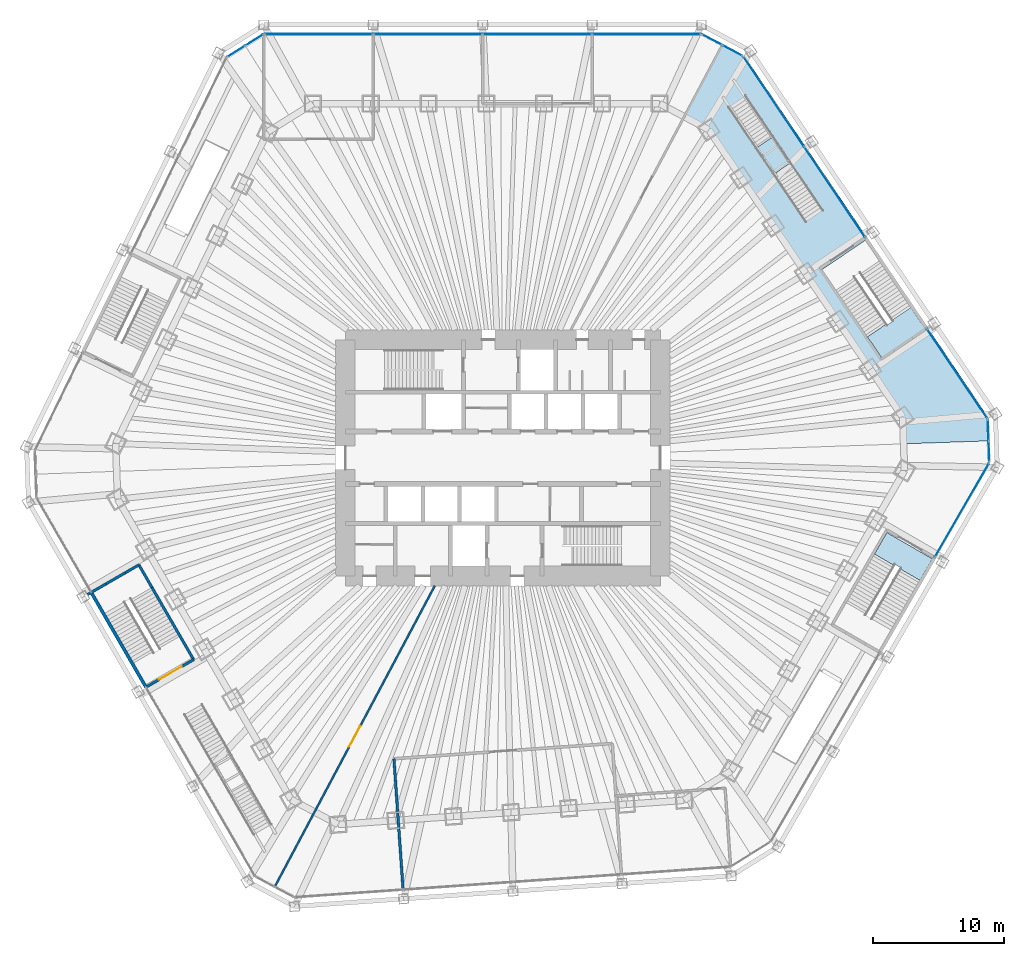
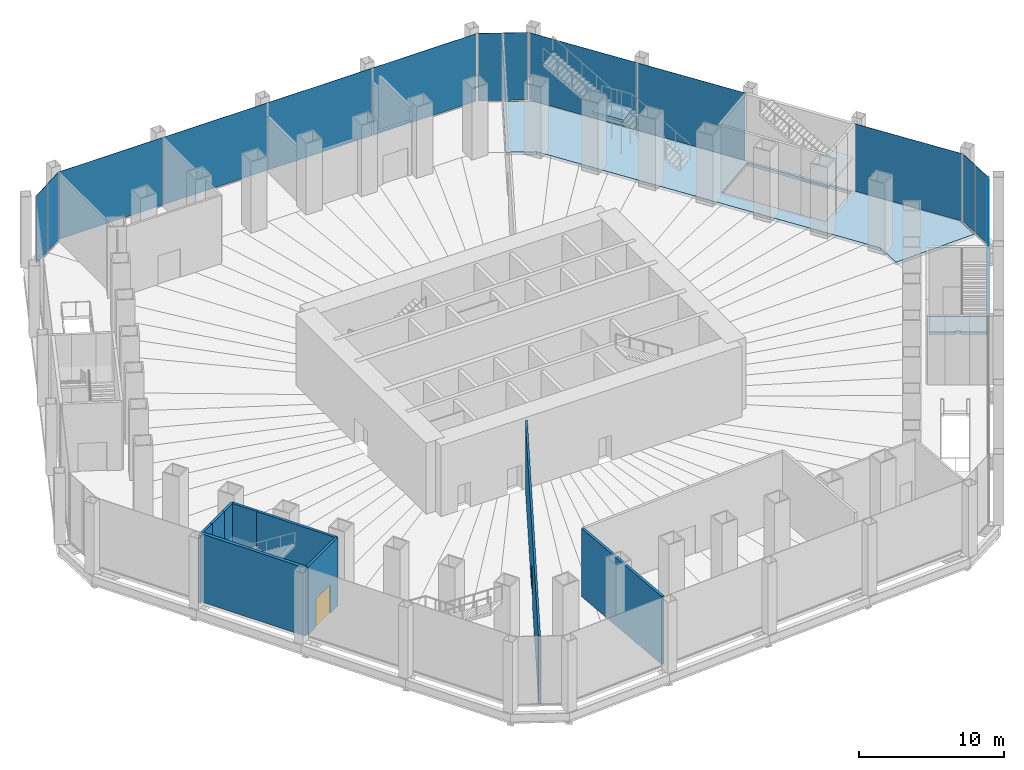
# One storey, part 18 of 23: 14 plates, 9 walls, 4 slabs, 2 doors, 2 openings, 10 elements without a shape of their own.
"""IFC4 building model written with IfcOpenShell, lengths in metres."""

from ifc_helpers import new_model, si_unit, direction, frame, frame_2d, origin, origin_2d, place, context, subcontext, project, spatial, polyline, rectangle, outline, extrude, material, layer, layer_set, constituent, constituent_set, type_object, element, fill, aggregate, save


model = new_model("IFC4")

# Units and contexts
model_context = context("Model", 3, precision=1e-05, world=origin(), true_north=direction((0.0, 1.0)))
body_context = subcontext(model_context, "Body", "Model", "MODEL_VIEW")
ifc_project = project(units=[si_unit("LENGTHUNIT", "METRE"), si_unit("AREAUNIT", "SQUARE_METRE"), si_unit("VOLUMEUNIT", "CUBIC_METRE"), si_unit("PLANEANGLEUNIT", "RADIAN"), si_unit("MASSUNIT", "GRAM", prefix="KILO")], contexts=[model_context])

# Site, building, storey
site_placement = place(None, origin())
site = spatial("IfcSite", under=ifc_project, at=site_placement, CompositionType="ELEMENT")
building_placement = place(site_placement, origin())
building = spatial("IfcBuilding", under=site, at=building_placement, Name="Qingtian Harvest Tower", CompositionType="ELEMENT")
storey_placement = place(building_placement, frame((0.0, 0.0, 6.0)))
storey = spatial("IfcBuildingStorey", under=building, at=storey_placement, Name="L01", CompositionType="ELEMENT", Elevation=6.0)

# Slab
ifc_material_1 = material(Name="Concrete fc' 35 MPa", Category="concrete")
ifc_layer_1 = layer(ifc_material_1, 0.25)
ifc_layer_set_1 = layer_set([ifc_layer_1], Name="Composite floor slab FS25 250")
slab_type_1 = type_object("IfcSlabType", Name="Composite floor slab FS25 250", PredefinedType="FLOOR", material=ifc_layer_set_1)
slab_1_placement = place(storey_placement, frame((0.0, 0.0, -0.25)))
element("IfcSlab", 1, at=slab_1_placement, inside=storey, type_object=slab_type_1, Name="Floor slab L01 panel DPNE", PredefinedType="FLOOR", context=body_context, shape_type="SweptSolid", body=[
    extrude(outline(polyline([(30.54736328125, 1.066650390625), (30.476318359375, 3.100830078125), (15.6982421875, 25.01025390625), (13.8271484375, 26.005126953125), (16.698486328125, 31.4052734375), (18.5693359375, 30.410400390625), (36.840087890625, 3.322998046875), (36.9111328125, 1.2890625), (30.54736328125, 1.066650390625)]), holes=[polyline([(32.124267578125, 9.95703125), (27.649658203125, 16.5908203125), (24.33349609375, 14.35400390625), (28.80810546875, 7.72021484375), (32.124267578125, 9.95703125)])]), origin(), (0.0, 0.0, 1.0), 0.25),
])

# Stair, slab
ifc_material_2 = material(Name="Steel SN490B (325 MPa)", Category="steel")
ifc_constituent_1 = constituent(ifc_material_2, Name="Stringers")
ifc_material_3 = material(Name="Terrazzo treads")
ifc_constituent_2 = constituent(ifc_material_3, Name="Treads")
ifc_constituent_set = constituent_set(constituents=[ifc_constituent_1, ifc_constituent_2], Name="Steel SN490B (325 MPa)")
stair_type_1 = type_object("IfcStairType", Name="Feature stair FS6000 straight run", PredefinedType="STRAIGHT_RUN_STAIR", material=ifc_constituent_set)
stair_1_placement = place(storey_placement, origin())
stair_1 = element("IfcStair", 2, at=stair_1_placement, inside=storey, type_object=stair_type_1, Name="Feature stair FS3 L01 to L02", PredefinedType="STRAIGHT_RUN_STAIR")
ifc_material_4 = material(Name="Steel deck with terrazzo", Category="steel")
ifc_layer_2 = layer(ifc_material_4, 0.199951171875)
ifc_layer_set_2 = layer_set([ifc_layer_2], Name="Feature stair landing SL3 200")
slab_type_2 = type_object("IfcSlabType", Name="Feature stair landing SL3 200", PredefinedType="LANDING", material=ifc_layer_set_2)
slab_2_placement = place(storey_placement, frame((0.0, 0.0, 2.800048828125)))
slab_2 = element("IfcSlab", 3, at=slab_2_placement, type_object=slab_type_2, Name="FS3 landing 1", PredefinedType="LANDING", context=body_context, shape_type="SweptSolid", body=[
    extrude(outline(polyline([(20.64013671875, 21.6064453125), (19.29248046875, 23.6044921875), (20.618896484375, 24.499267578125), (21.966552734375, 22.501220703125), (20.64013671875, 21.6064453125)])), origin(), (0.0, 0.0, 1.0), 0.199951171875),
])
aggregate(stair_1, [slab_2])

# Curtain wall, plates
ifc_material_5 = material(Name="Bronze-anodised aluminium curtain wall", Category="aluminium")
curtain_wall_type = type_object("IfcCurtainWallType", Name="Curtain wall CW1 podium shopfront", PredefinedType="USERDEFINED", material=ifc_material_5)
curtain_wall_1_placement = place(storey_placement, origin())
curtain_wall_1 = element("IfcCurtainWall", 4, at=curtain_wall_1_placement, inside=storey, type_object=curtain_wall_type, Name="Curtain wall CW1 L01 N0-3", ObjectType="RECESSED CURTAIN WALL", PredefinedType="USERDEFINED")
ifc_material_6 = material(Name="Bronze-tinted laminated insulating glass", Category="glass")
ifc_layer_3 = layer(ifc_material_6, 0.030029296875)
ifc_layer_set_3 = layer_set([ifc_layer_3], Name="Glazed panel CWP tinted IGU")
plate_type = type_object("IfcPlateType", Name="Glazed panel CWP tinted IGU", PredefinedType="CURTAIN_PANEL", material=ifc_layer_set_3)
plate_1_placement = place(storey_placement, frame((-14.033447265625, 32.300048828125, 0.06494140625), z_axis=(0.0, 0.0, 1.0), x_axis=(1.0, 0.0, 0.0)))
plate_1 = element("IfcPlate", 5, at=plate_1_placement, type_object=plate_type, Name="CW1 panel 1.1", PredefinedType="CURTAIN_PANEL", context=body_context, shape_type="SweptSolid", body=[
    extrude(rectangle(XDim=8.244384765625, YDim=0.030029296875, at=origin_2d()), origin(), (0.0, 0.0, 1.0), 5.68505859375),
])
plate_2_placement = place(storey_placement, frame((-5.7080078125, 32.300048828125, 0.06494140625), z_axis=(0.0, 0.0, 1.0), x_axis=(1.0, 0.0, 0.0)))
plate_2 = element("IfcPlate", 6, at=plate_2_placement, type_object=plate_type, Name="CW1 panel 2.1", PredefinedType="CURTAIN_PANEL", context=body_context, shape_type="SweptSolid", body=[
    extrude(rectangle(XDim=8.27685546875, YDim=0.030029296875, at=origin_2d()), origin(), (0.0, 0.0, 1.0), 5.68505859375),
])
plate_3_placement = place(storey_placement, frame((2.6337890625, 32.300048828125, 0.06494140625), z_axis=(0.0, 0.0, 1.0), x_axis=(1.0, 0.0, 0.0)))
plate_3 = element("IfcPlate", 7, at=plate_3_placement, type_object=plate_type, Name="CW1 panel 3.1", PredefinedType="CURTAIN_PANEL", context=body_context, shape_type="SweptSolid", body=[
    extrude(rectangle(XDim=8.27685546875, YDim=0.030029296875, at=origin_2d()), origin(), (0.0, 0.0, 1.0), 5.68505859375),
])
plate_4_placement = place(storey_placement, frame((10.959228515625, 32.300048828125, 0.06494140625), z_axis=(0.0, 0.0, 1.0), x_axis=(1.0, 0.0, 0.0)))
plate_4 = element("IfcPlate", 8, at=plate_4_placement, type_object=plate_type, Name="CW1 panel 4.1", PredefinedType="CURTAIN_PANEL", context=body_context, shape_type="SweptSolid", body=[
    extrude(rectangle(XDim=8.244384765625, YDim=0.030029296875, at=origin_2d()), origin(), (0.0, 0.0, 1.0), 5.68505859375),
])
aggregate(curtain_wall_1, [plate_1, plate_2, plate_3, plate_4])

curtain_wall_2_placement = place(storey_placement, origin())
curtain_wall_2 = element("IfcCurtainWall", 9, at=curtain_wall_2_placement, inside=storey, type_object=curtain_wall_type, Name="Curtain wall CW1 L01 NC", ObjectType="RECESSED CURTAIN WALL", PredefinedType="USERDEFINED")
plate_5_placement = place(storey_placement, frame((15.951171875, 31.8720703125, 0.06494140625), z_axis=(0.0, 0.0, 1.0), x_axis=(0.882947592859, -0.469471562786, 0.0)))
plate_5 = element("IfcPlate", 10, at=plate_5_placement, type_object=plate_type, Name="CW1 panel 1.1", PredefinedType="CURTAIN_PANEL", context=body_context, shape_type="SweptSolid", body=[
    extrude(rectangle(XDim=1.69287109375, YDim=0.030029296875, at=origin_2d()), origin(), (0.0, 0.0, 1.0), 5.68505859375),
])
plate_6_placement = place(storey_placement, frame((17.50341796875, 31.046875, 0.06494140625), z_axis=(0.0, 0.0, 1.0), x_axis=(0.882947592859, -0.469471562786, 0.0)))
plate_6 = element("IfcPlate", 11, at=plate_6_placement, type_object=plate_type, Name="CW1 panel 2.1", PredefinedType="CURTAIN_PANEL", context=body_context, shape_type="SweptSolid", body=[
    extrude(rectangle(XDim=1.69287109375, YDim=0.030029296875, at=origin_2d()), origin(), (0.0, 0.0, 1.0), 5.68505859375),
])
aggregate(curtain_wall_2, [plate_5, plate_6])

curtain_wall_3_placement = place(storey_placement, origin())
curtain_wall_3 = element("IfcCurtainWall", 12, at=curtain_wall_3_placement, inside=storey, type_object=curtain_wall_type, Name="Curtain wall CW1 L01 NE0-1", ObjectType="RECESSED CURTAIN WALL", PredefinedType="USERDEFINED")
plate_7_placement = place(storey_placement, frame((20.649658203125, 27.1474609375, 0.06494140625), z_axis=(0.0, 0.0, 1.0), x_axis=(0.559192903471, -0.829037572555, 0.0)))
plate_7 = element("IfcPlate", 13, at=plate_7_placement, type_object=plate_type, Name="CW1 panel 1.1", PredefinedType="CURTAIN_PANEL", context=body_context, shape_type="SweptSolid", body=[
    extrude(rectangle(XDim=8.244384765625, YDim=0.030029296875, at=origin_2d()), origin(), (0.0, 0.0, 1.0), 5.68505859375),
])
plate_8_placement = place(storey_placement, frame((25.296142578125, 20.2587890625, 0.06494140625), z_axis=(0.0, 0.0, 1.0), x_axis=(0.559192903471, -0.829037572555, 0.0)))
plate_8 = element("IfcPlate", 14, at=plate_8_placement, type_object=plate_type, Name="CW1 panel 2.1", PredefinedType="CURTAIN_PANEL", context=body_context, shape_type="SweptSolid", body=[
    extrude(rectangle(XDim=8.244384765625, YDim=0.030029296875, at=origin_2d()), origin(), (0.0, 0.0, 1.0), 5.68505859375),
])
aggregate(curtain_wall_3, [plate_7, plate_8])

# Curtain wall, plate
curtain_wall_4_placement = place(storey_placement, origin())
curtain_wall_4 = element("IfcCurtainWall", 15, at=curtain_wall_4_placement, inside=storey, type_object=curtain_wall_type, Name="Curtain wall CW1 L01 NE3", ObjectType="RECESSED CURTAIN WALL", PredefinedType="USERDEFINED")
plate_9_placement = place(storey_placement, frame((34.634521484375, 6.4140625, 0.06494140625), z_axis=(0.0, 0.0, 1.0), x_axis=(0.559192903471, -0.829037572555, 0.0)))
plate_9 = element("IfcPlate", 16, at=plate_9_placement, type_object=plate_type, Name="CW1 panel 1.1", PredefinedType="CURTAIN_PANEL", context=body_context, shape_type="SweptSolid", body=[
    extrude(rectangle(XDim=8.211669921875, YDim=0.030029296875, at=origin_2d()), origin(), (0.0, 0.0, 1.0), 5.68505859375),
])
aggregate(curtain_wall_4, [plate_9])

# Curtain wall, plates
curtain_wall_5_placement = place(storey_placement, origin())
curtain_wall_5 = element("IfcCurtainWall", 17, at=curtain_wall_5_placement, inside=storey, type_object=curtain_wall_type, Name="Curtain wall CW1 L01 NEC", ObjectType="RECESSED CURTAIN WALL", PredefinedType="USERDEFINED")
plate_10_placement = place(storey_placement, frame((36.996337890625, 2.1083984375, 0.06494140625), z_axis=(0.0, 0.0, 1.0), x_axis=(0.034899496703, -0.999390827019, 0.0)))
plate_10 = element("IfcPlate", 18, at=plate_10_placement, type_object=plate_type, Name="CW1 panel 1.1", PredefinedType="CURTAIN_PANEL", context=body_context, shape_type="SweptSolid", body=[
    extrude(rectangle(XDim=1.56689453125, YDim=0.030029296875, at=origin_2d()), origin(), (0.0, 0.0, 1.0), 5.68505859375),
])
plate_11_placement = place(storey_placement, frame((37.053466796875, 0.4775390625, 0.06494140625), z_axis=(0.0, 0.0, 1.0), x_axis=(0.034899496703, -0.999390827019, 0.0)))
plate_11 = element("IfcPlate", 19, at=plate_11_placement, type_object=plate_type, Name="CW1 panel 2.1", PredefinedType="CURTAIN_PANEL", context=body_context, shape_type="SweptSolid", body=[
    extrude(rectangle(XDim=1.56689453125, YDim=0.030029296875, at=origin_2d()), origin(), (0.0, 0.0, 1.0), 5.68505859375),
])
aggregate(curtain_wall_5, [plate_10, plate_11])

# Curtain wall, plate
curtain_wall_6_placement = place(storey_placement, origin())
curtain_wall_6 = element("IfcCurtainWall", 20, at=curtain_wall_6_placement, inside=storey, type_object=curtain_wall_type, Name="Curtain wall CW1 L01 SE0", ObjectType="RECESSED CURTAIN WALL", PredefinedType="USERDEFINED")
plate_12_placement = place(storey_placement, frame((34.99755859375, -3.982421875, 0.06494140625), z_axis=(0.0, 0.0, 1.0), x_axis=(-0.5, -0.866025403784, 0.0)))
plate_12 = element("IfcPlate", 21, at=plate_12_placement, type_object=plate_type, Name="CW1 panel 1.1", PredefinedType="CURTAIN_PANEL", context=body_context, shape_type="SweptSolid", body=[
    extrude(rectangle(XDim=8.211669921875, YDim=0.030029296875, at=origin_2d()), origin(), (0.0, 0.0, 1.0), 5.68505859375),
])
aggregate(curtain_wall_6, [plate_12])

# Curtain wall, plates
curtain_wall_7_placement = place(storey_placement, origin())
curtain_wall_7 = element("IfcCurtainWall", 22, at=curtain_wall_7_placement, inside=storey, type_object=curtain_wall_type, Name="Curtain wall CW1 L01 NWC", ObjectType="RECESSED CURTAIN WALL", PredefinedType="USERDEFINED")
plate_13_placement = place(storey_placement, frame((-20.32421875, 30.985595703125, 0.06494140625), z_axis=(0.0, 0.0, 1.0), x_axis=(0.848048096156, 0.529919264233, 0.0)))
plate_13 = element("IfcPlate", 23, at=plate_13_placement, type_object=plate_type, Name="CW1 panel 1.1", PredefinedType="CURTAIN_PANEL", context=body_context, shape_type="SweptSolid", body=[
    extrude(rectangle(XDim=1.56689453125, YDim=0.030029296875, at=origin_2d()), origin(), (0.0, 0.0, 1.0), 5.68505859375),
])
plate_14_placement = place(storey_placement, frame((-18.940185546875, 31.850341796875, 0.06494140625), z_axis=(0.0, 0.0, 1.0), x_axis=(0.848048096156, 0.529919264233, 0.0)))
plate_14 = element("IfcPlate", 24, at=plate_14_placement, type_object=plate_type, Name="CW1 panel 2.1", PredefinedType="CURTAIN_PANEL", context=body_context, shape_type="SweptSolid", body=[
    extrude(rectangle(XDim=1.56689453125, YDim=0.030029296875, at=origin_2d()), origin(), (0.0, 0.0, 1.0), 5.68505859375),
])
aggregate(curtain_wall_7, [plate_13, plate_14])

# Stair, slab
ifc_material_7 = material(Name="Concrete fc' 35 MPa", Category="concrete")
stair_type_2 = type_object("IfcStairType", Name="Exit stair PS1 6000", PredefinedType="HALF_TURN_STAIR", material=ifc_material_7)
stair_2_placement = place(storey_placement, origin())
stair_2 = element("IfcStair", 25, at=stair_2_placement, inside=storey, type_object=stair_type_2, Name="Exit stair P1 L01", PredefinedType="HALF_TURN_STAIR")
ifc_material_8 = material(Name="Concrete fc' 35 MPa", Category="concrete")
ifc_layer_4 = layer(ifc_material_8, 0.199951171875)
ifc_layer_set_4 = layer_set([ifc_layer_4], Name="Stair landing SL2 200")
slab_type_3 = type_object("IfcSlabType", Name="Stair landing SL2 200", PredefinedType="LANDING", material=ifc_layer_set_4)
slab_3_placement = place(storey_placement, frame((0.0, 0.0, 2.800048828125)))
slab_3 = element("IfcSlab", 26, at=slab_3_placement, type_object=slab_type_3, Name="P1 landing 2", PredefinedType="LANDING", context=body_context, shape_type="SweptSolid", body=[
    extrude(outline(polyline([(28.903076171875, 7.579345703125), (27.789306640625, 9.23046875), (29.281494140625, 10.237060546875), (29.33740234375, 10.154052734375), (29.669189453125, 10.3779296875), (29.61328125, 10.460693359375), (31.10546875, 11.46728515625), (32.21923828125, 9.81591796875), (28.903076171875, 7.579345703125)])), origin(), (0.0, 0.0, 1.0), 0.199951171875),
])
aggregate(stair_2, [slab_3])

stair_3_placement = place(storey_placement, origin())
stair_3 = element("IfcStair", 27, at=stair_3_placement, inside=storey, type_object=stair_type_2, Name="Exit stair P2 L01", PredefinedType="HALF_TURN_STAIR")
slab_4_placement = place(storey_placement, frame((0.0, 0.0, -0.199951171875)))
slab_4 = element("IfcSlab", 28, at=slab_4_placement, type_object=slab_type_3, Name="P2 landing 1", PredefinedType="LANDING", context=body_context, shape_type="SweptSolid", body=[
    extrude(outline(polyline([(31.79052734375, -9.33740234375), (30.231689453125, -8.437255859375), (30.28173828125, -8.3505859375), (29.935302734375, -8.150634765625), (29.88525390625, -8.2373046875), (28.326416015625, -7.33740234375), (29.2763671875, -5.69189453125), (32.740478515625, -7.69189453125), (31.79052734375, -9.33740234375)])), origin(), (0.0, 0.0, 1.0), 0.199951171875),
])
aggregate(stair_3, [slab_4])

# Walls
ifc_material_9 = material(Name="Bronze-clad steel-framed screen wall with fire-rated lining", Category="steel")
ifc_layer_5 = layer(ifc_material_9, 0.25)
ifc_layer_set_5 = layer_set([ifc_layer_5], Name="Facade door bay wall FW2 250")
wall_type_1 = type_object("IfcWallType", Name="Facade door bay wall FW2 250", PredefinedType="SOLIDWALL", material=ifc_layer_set_5)
wall_1_placement = place(storey_placement, frame((-27.2041015625, -17.481201171875, 0.0), z_axis=(0.0, 0.0, 1.0), x_axis=(-0.500004511595, 0.866022798998, 0.0)))
element("IfcWall", 29, at=wall_1_placement, inside=storey, type_object=wall_type_1, Name="Exit stair wall bay SW2", PredefinedType="SOLIDWALL", context=body_context, shape_type="SweptSolid", body=[
    extrude(rectangle(XDim=8.341796875, YDim=0.25, at=frame_2d((4.1708984375, 0.0))), origin(), (0.0, 0.0, 1.0), 5.75),
])
ifc_material_10 = material(Name="Blockwork fire wall", Category="masonry")
ifc_layer_6 = layer(ifc_material_10, 0.199951171875)
ifc_layer_set_6 = layer_set([ifc_layer_6], Name="Fire partition FW1 200")
wall_type_2 = type_object("IfcWallType", Name="Fire partition FW1 200", PredefinedType="PARTITIONING", material=ifc_layer_set_6)
wall_2_placement = place(storey_placement, frame((-7.608642578125, -32.810791015625, 0.0), z_axis=(0.0, 0.0, 1.0), x_axis=(-0.069764341483, 0.997563500063, 0.0)))
element("IfcWall", 30, at=wall_2_placement, inside=storey, type_object=wall_type_2, Name="Kitchen wall L01", PredefinedType="PARTITIONING", context=body_context, shape_type="SweptSolid", body=[
    extrude(rectangle(XDim=9.900146484375, YDim=0.199951171875, at=frame_2d((4.9501953125, 0.0))), origin(), (0.0, 0.0, 1.0), 5.75),
])

# Wall, opening, door
wall_3_placement = place(storey_placement, frame((-27.117431640625, -17.43115234375, 0.0), z_axis=(0.0, 0.0, 1.0), x_axis=(0.8660249478, 0.500000789788, 0.0)))
wall_3 = element("IfcWall", 31, at=wall_3_placement, inside=storey, type_object=wall_type_2, Name="Exit stair P3 enclosure L01", PredefinedType="PARTITIONING", context=body_context, shape_type="SweptSolid", body=[
    extrude(rectangle(XDim=4.10009765625, YDim=0.199951171875, at=frame_2d((2.050048828125, 0.0))), origin(), (0.0, 0.0, 1.0), 5.75),
])
opening_1_placement = place(wall_3_placement, frame((1.050048828125, 0.0, 0.0)))
opening_1 = element("IfcOpeningElement", 32, at=opening_1_placement, cuts=wall_3, Name="Opening FD3", PredefinedType="OPENING", context=body_context, shape_type="SweptSolid", body=[
    extrude(rectangle(XDim=2.0, YDim=2.39990234375, at=frame_2d((1.0, 1.199951171875))), frame((0.0, 0.10986328125, 0.0), z_axis=(0.0, -1.0, 0.0), x_axis=(1.0, 0.0, 0.0)), (0.0, 0.0, 1.0), 0.219970703125),
])
ifc_material_11 = material(Name="Steel-faced door leaf", Category="steel")
door_type_1 = type_object("IfcDoorType", Name="Fire door FD3 double 2 HR", OperationType="DOUBLE_DOOR_DOUBLE_SWING", PredefinedType="DOOR", material=ifc_material_11)
door_1_placement = place(opening_1_placement, origin())
door_1 = element("IfcDoor", 33, at=door_1_placement, inside=storey, type_object=door_type_1, Name="Exit stair P3 door L01", OperationType="DOUBLE_DOOR_DOUBLE_SWING", OverallHeight=2.39990234375, OverallWidth=2.0, PredefinedType="DOOR", context=body_context, shape_type="SweptSolid", body=[
    extrude(rectangle(XDim=2.0, YDim=2.39990234375, at=frame_2d((1.0, 1.199951171875))), frame((0.0, 0.02490234375, 0.0), z_axis=(0.0, -1.0, 0.0), x_axis=(1.0, 0.0, 0.0)), (0.0, 0.0, 1.0), 0.050048828125),
])
fill(opening_1, door_1)

# Walls
wall_4_placement = place(storey_placement, frame((-31.656494140625, -10.41943359375, 0.0), z_axis=(0.0, 0.0, 1.0), x_axis=(0.866053003207, 0.499952193351, 0.0)))
element("IfcWall", 34, at=wall_4_placement, inside=storey, type_object=wall_type_2, Name="Exit stair P3 enclosure L01", PredefinedType="PARTITIONING", context=body_context, shape_type="SweptSolid", body=[
    extrude(rectangle(XDim=1.625244140625, YDim=0.199951171875, at=frame_2d((0.8125, 0.0))), origin(), (0.0, 0.0, 1.0), 5.75),
])
wall_5_placement = place(storey_placement, frame((-23.566650390625, -15.381103515625, 0.0), z_axis=(0.0, 0.0, 1.0), x_axis=(-0.500005339912, 0.866022320763, 0.0)))
element("IfcWall", 35, at=wall_5_placement, inside=storey, type_object=wall_type_2, Name="Exit stair P3 enclosure L01", PredefinedType="PARTITIONING", context=body_context, shape_type="SweptSolid", body=[
    extrude(rectangle(XDim=6.35009765625, YDim=0.199951171875, at=frame_2d((3.175048828125, 0.0))), origin(), (0.0, 0.0, 1.0), 5.75),
])
wall_6_placement = place(storey_placement, frame((-30.2490234375, -9.60693359375, 0.0), z_axis=(0.0, 0.0, 1.0), x_axis=(0.86605165483, 0.499954529098, 0.0)))
element("IfcWall", 36, at=wall_6_placement, inside=storey, type_object=wall_type_2, Name="Exit stair P3 enclosure L01", PredefinedType="PARTITIONING", context=body_context, shape_type="SweptSolid", body=[
    extrude(rectangle(XDim=1.699951171875, YDim=0.199951171875, at=frame_2d((0.85009765625, 0.0))), origin(), (0.0, 0.0, 1.0), 5.75),
])
wall_7_placement = place(storey_placement, frame((-28.77685546875, -8.757080078125, 0.0), z_axis=(0.0, 0.0, 1.0), x_axis=(0.866006032174, 0.500033551112, 0.0)))
element("IfcWall", 37, at=wall_7_placement, inside=storey, type_object=wall_type_2, Name="Exit stair P3 enclosure L01", PredefinedType="PARTITIONING", context=body_context, shape_type="SweptSolid", body=[
    extrude(rectangle(XDim=1.2001953125, YDim=0.199951171875, at=frame_2d((0.60009765625, 0.0))), origin(), (0.0, 0.0, 1.0), 5.75),
])
wall_8_placement = place(storey_placement, frame((-26.74169921875, -9.8818359375, 0.0), z_axis=(0.0, 0.0, 1.0), x_axis=(-0.500001870701, 0.866024323732, 0.0)))
element("IfcWall", 38, at=wall_8_placement, inside=storey, type_object=wall_type_2, Name="Exit stair P3 enclosure L01", PredefinedType="PARTITIONING", context=body_context, shape_type="SweptSolid", body=[
    extrude(rectangle(XDim=1.99169921875, YDim=0.199951171875, at=frame_2d((0.995849609375, 0.0))), origin(), (0.0, 0.0, 1.0), 5.75),
])

# Wall, opening, door
ifc_material_12 = material(Name="Gypsum board on steel studs", Category="steel")
ifc_layer_7 = layer(ifc_material_12, 0.14990234375)
ifc_layer_set_7 = layer_set([ifc_layer_7], Name="Partition PT1 150")
wall_type_3 = type_object("IfcWallType", Name="Partition PT1 150", PredefinedType="PARTITIONING", material=ifc_layer_set_7)
wall_9_placement = place(storey_placement, frame((-5.18408203125, -9.75, 0.0), z_axis=(0.0, 0.0, 1.0), x_axis=(-0.469477354847, -0.882944513141, 0.0)))
wall_9 = element("IfcWall", 39, at=wall_9_placement, inside=storey, type_object=wall_type_3, Name="Hall dividing wall L01", PredefinedType="PARTITIONING", context=body_context, shape_type="SweptSolid", body=[
    extrude(rectangle(XDim=26.0048828125, YDim=0.14990234375, at=frame_2d((13.00244140625, 0.0))), origin(), (0.0, 0.0, 1.0), 5.75),
])
opening_2_placement = place(wall_9_placement, frame((12.1025390625, 0.0, 0.0)))
opening_2 = element("IfcOpeningElement", 40, at=opening_2_placement, cuts=wall_9, Name="Opening D3", PredefinedType="OPENING", context=body_context, shape_type="SweptSolid", body=[
    extrude(rectangle(XDim=1.800048828125, YDim=2.39990234375, at=frame_2d((0.89990234375, 1.199951171875))), frame((0.0, 0.0849609375, 0.0), z_axis=(0.0, -1.0, 0.0), x_axis=(1.0, 0.0, 0.0)), (0.0, 0.0, 1.0), 0.169921875),
])
ifc_material_13 = material(Name="Laminated timber door leaf", Category="wood")
door_type_2 = type_object("IfcDoorType", Name="Room door D3 double", OperationType="DOUBLE_DOOR_DOUBLE_SWING", PredefinedType="DOOR", material=ifc_material_13)
door_2_placement = place(opening_2_placement, origin())
door_2 = element("IfcDoor", 41, at=door_2_placement, inside=storey, type_object=door_type_2, Name="Hall door L01", OperationType="DOUBLE_DOOR_DOUBLE_SWING", OverallHeight=2.39990234375, OverallWidth=1.800048828125, PredefinedType="DOOR", context=body_context, shape_type="SweptSolid", body=[
    extrude(rectangle(XDim=1.800048828125, YDim=2.39990234375, at=frame_2d((0.89990234375, 1.199951171875))), frame((0.0, 0.02490234375, 0.0), z_axis=(0.0, -1.0, 0.0), x_axis=(1.0, 0.0, 0.0)), (0.0, 0.0, 1.0), 0.050048828125),
])
fill(opening_2, door_2)

save(model, "model.ifc")
